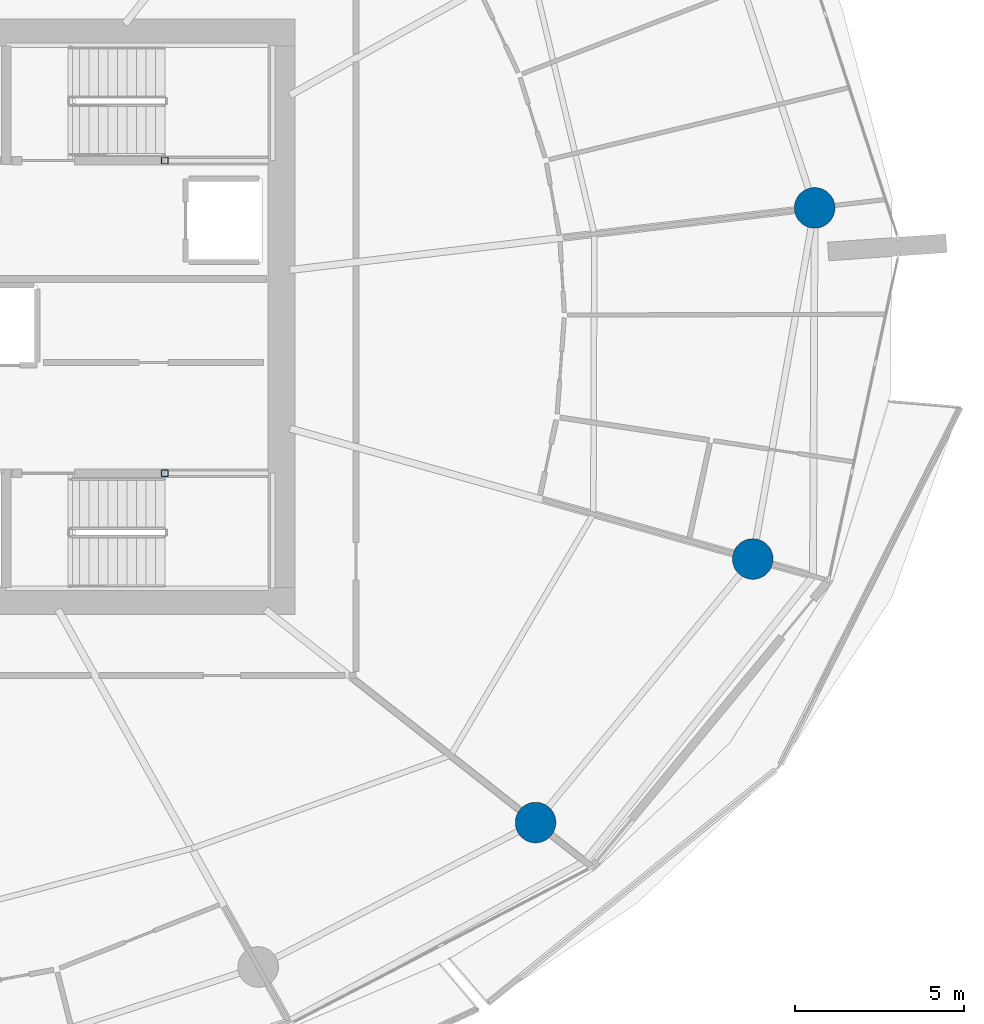
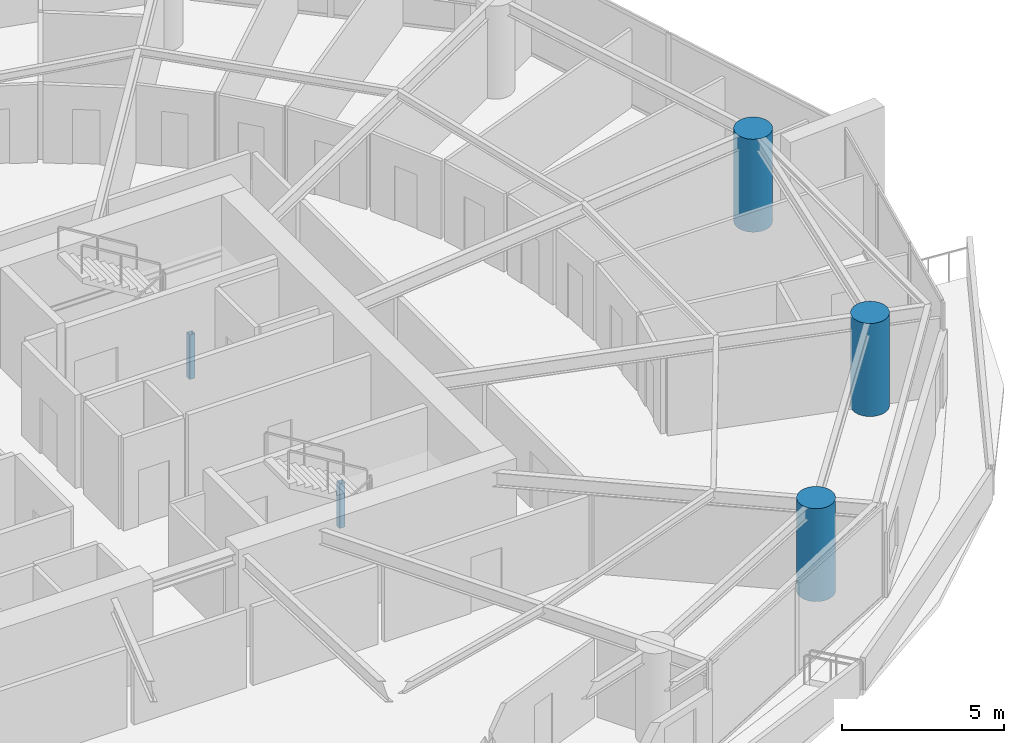
# One storey, part 3 of 23: 5 columns.
"""IFC4 building model written with IfcOpenShell, lengths in metres."""

from ifc_helpers import new_model, si_unit, direction, frame, origin, origin_2d, place, context, subcontext, project, spatial, hollow_rectangle, circle, extrude, material, material_profile, profile_set, type_object, element, save


model = new_model("IFC4")

# Units and contexts
model_context = context("Model", 3, precision=1e-05, world=origin(), true_north=direction((0.0, 1.0)))
body_context = subcontext(model_context, "Body", "Model", "MODEL_VIEW")
ifc_project = project(units=[si_unit("LENGTHUNIT", "METRE"), si_unit("AREAUNIT", "SQUARE_METRE"), si_unit("VOLUMEUNIT", "CUBIC_METRE"), si_unit("PLANEANGLEUNIT", "RADIAN"), si_unit("MASSUNIT", "GRAM", prefix="KILO")], contexts=[model_context])

# Site, building, storey
site_placement = place(None, origin())
site = spatial("IfcSite", under=ifc_project, at=site_placement, CompositionType="ELEMENT")
building_placement = place(site_placement, origin())
building = spatial("IfcBuilding", under=site, at=building_placement, Name="Kazma Halo Residences", CompositionType="ELEMENT")
storey_placement = place(building_placement, frame((0.0, 0.0, 108.89990234375)))
storey = spatial("IfcBuildingStorey", under=building, at=storey_placement, Name="L27", CompositionType="ELEMENT", Elevation=108.89990234375)

# Columns
ifc_material_1 = material(Name="Steel S355", Category="steel")
ifc_material_profile_1 = material_profile(ifc_material_1, hollow_rectangle(XDim=0.199951171875, YDim=0.199951171875, WallThickness=0.010009765625, InnerFilletRadius=0.010009765625, OuterFilletRadius=0.02001953125, at=origin_2d()), Name="SHS200x200x10")
ifc_profile_set_1 = profile_set([ifc_material_profile_1], Name="Steel S355")
column_type_1 = type_object("IfcColumnType", Name="COL-LP-SHS200", PredefinedType="COLUMN", material=ifc_profile_set_1)
for number, where, z_axis, x_axis, name in (
    (1, (56.0, 46.6201171875, 0.0), (0.0, 0.0, 1.0), (1.0, 0.0, 0.0), "L27 ST-02 landing pilaster 1"),
    (2, (56.0, 37.3798828125, 0.0), (0.0, 0.0, 1.0), (1.0, 0.0, 0.0), "L27 ST-03 landing pilaster 1"),
):
    element("IfcColumn", number, at=place(storey_placement, frame(where, z_axis=z_axis, x_axis=x_axis)), inside=storey, type_object=column_type_1, Name=name, PredefinedType="COLUMN", context=body_context, shape_type="SweptSolid", body=[
        extrude(hollow_rectangle(XDim=0.199951171875, YDim=0.199951171875, WallThickness=0.010009765625, InnerFilletRadius=0.010009765625, OuterFilletRadius=0.02001953125, at=origin_2d()), origin(), (0.0, 0.0, 1.0), 1.670166015625),
    ])
ifc_material_2 = material(Name="Concrete C80/95", Category="concrete")
ifc_material_profile_2 = material_profile(ifc_material_2, circle(Radius=0.60009765625, at=origin_2d()), Name="CIRC1200")
ifc_profile_set_2 = profile_set([ifc_material_profile_2], Name="Concrete C80/95")
column_type_2 = type_object("IfcColumnType", Name="COL-PERIM-1200", PredefinedType="COLUMN", material=ifc_profile_set_2)
for number, where, z_axis, x_axis, name in (
    (3, (66.9580078125, 27.0546875, 0.0), (0.0, 0.0, 1.0), (1.0, 0.0, 0.0), "L27 perimeter ring column P14"),
    (4, (73.376708984375, 34.843017578125, 0.0), (0.0, 0.0, 1.0), (1.0, 0.0, 0.0), "L27 perimeter ring column P15"),
    (5, (75.20654296875, 45.22021484375, 0.0), (0.0, 0.0, 1.0), (1.0, 0.0, 0.0), "L27 perimeter ring column P16"),
):
    element("IfcColumn", number, at=place(storey_placement, frame(where, z_axis=z_axis, x_axis=x_axis)), inside=storey, type_object=column_type_2, Name=name, PredefinedType="COLUMN", context=body_context, shape_type="SweptSolid", body=[
        extrude(circle(Radius=0.60009765625, at=origin_2d()), origin(), (0.0, 0.0, 1.0), 3.5),
    ])

save(model, "model.ifc")
